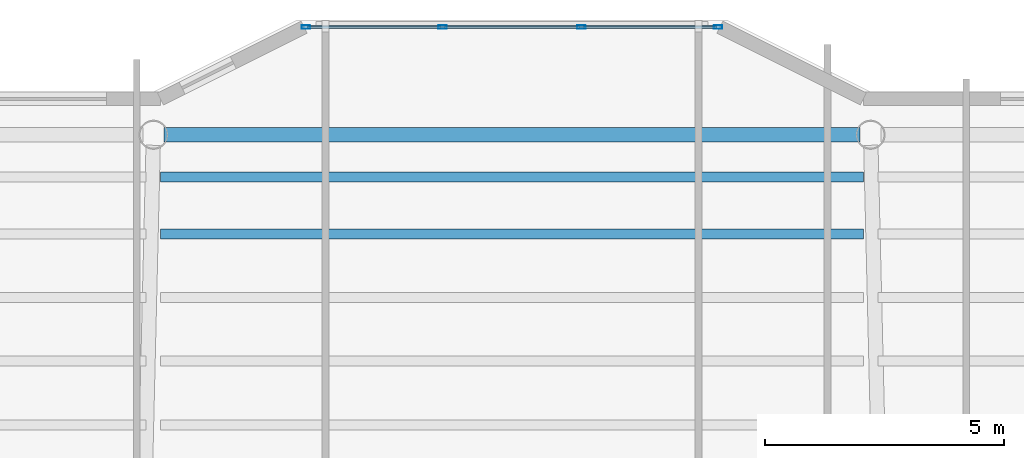
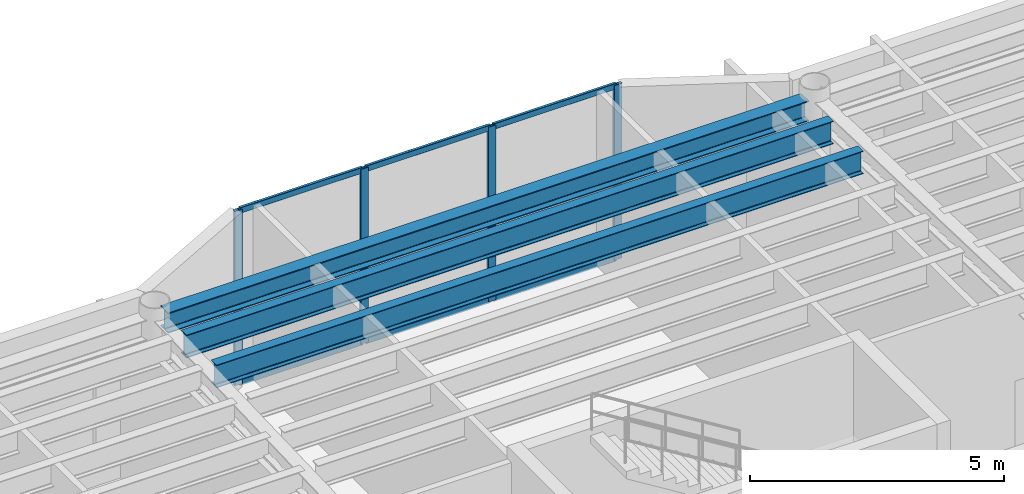
# One storey, part 19 of 33: 10 members, 3 beams, 1 element without a shape of its own.
"""IFC4 building model written with IfcOpenShell, lengths in metres."""

import ifcopenshell
import ifcopenshell.guid

model = None  # the IFC model being written
_history = None  # IfcOwnerHistory: only IFC2X3 demands one
_inside = {}  # id of a spatial element -> (the spatial element, [elements in it])
_under = {}  # id of a project, library or spatial element -> (it, [spatial elements below it])
_declared = {}  # id of a project -> (the project, [libraries it declares])
_typed = {}  # id of a type object -> (the type object, [elements of that type])
_made_of = {}  # id of a material, layer set ... -> (it, [elements and type objects made of it])


def new_model(schema):
    """Start an empty IFC model of exactly this schema.

    Asked for "IFC4X3", IfcOpenShell would pick the latest addendum, in which some entities
    have other attributes; the version numbers below select the first issue.
    IFC2X3 requires an IfcOwnerHistory on every rooted entity: one is made here for all.
    """
    global model, _history
    if schema == "IFC4X3":
        model = ifcopenshell.file(schema_version=(4, 3, 0, 0))
    else:
        model = ifcopenshell.file(schema=schema)
    _inside.clear()
    _under.clear()
    _declared.clear()
    _typed.clear()
    _made_of.clear()
    _history = None
    if model.schema == "IFC2X3":
        org = make("IfcOrganization", Name="unknown")
        user = make(
            "IfcPersonAndOrganization",
            ThePerson=make("IfcPerson", FamilyName="unknown"),
            TheOrganization=org,
        )
        app = make(
            "IfcApplication",
            ApplicationDeveloper=org,
            Version="unknown",
            ApplicationFullName="unknown",
            ApplicationIdentifier="unknown",
        )
        _history = make(
            "IfcOwnerHistory",
            OwningUser=user,
            OwningApplication=app,
            ChangeAction="ADDED",
            CreationDate=0,
        )
    return model


def make(cls, **values):
    """One entity of the class cls with the attributes given. An attribute that is None is left unset."""
    return model.create_entity(
        cls, **{name: value for name, value in values.items() if value is not None}
    )


def rooted(cls, **values):
    """An entity with a GlobalId (a new one), such as an element, a storey or a relation."""
    return make(cls, GlobalId=ifcopenshell.guid.new(), OwnerHistory=_history, **values)


def si_unit(unit_type, name, prefix=None):
    """IfcSIUnit, for example si_unit("LENGTHUNIT", "METRE", prefix="MILLI")."""
    return make("IfcSIUnit", UnitType=unit_type, Prefix=prefix, Name=name)


def assignment(units):
    """IfcUnitAssignment: the units of a project."""
    return None if units is None else make("IfcUnitAssignment", Units=units)


def point(xyz):
    """IfcCartesianPoint."""
    return None if xyz is None else make("IfcCartesianPoint", Coordinates=xyz)


def direction(xyz):
    """IfcDirection."""
    return None if xyz is None else make("IfcDirection", DirectionRatios=xyz)


def frame(location, z_axis=None, x_axis=None):
    """IfcAxis2Placement3D, a coordinate frame: its origin and axes. An axis left out is left unset."""
    return make(
        "IfcAxis2Placement3D",
        Location=point(location),
        Axis=direction(z_axis),
        RefDirection=direction(x_axis),
    )


def frame_2d(location, x_axis=None):
    """IfcAxis2Placement2D, a coordinate frame in the plane: its origin and x axis."""
    return make(
        "IfcAxis2Placement2D", Location=point(location), RefDirection=direction(x_axis)
    )


def origin():
    """The frame at (0, 0, 0) with its axes left unset."""
    return frame((0.0, 0.0, 0.0))


def origin_2d():
    """The frame at (0, 0) in the plane with its x axis left unset."""
    return frame_2d((0.0, 0.0))


def place(relative_to, where):
    """IfcLocalPlacement: puts the frame where relative to a parent placement (None: the world)."""
    return make(
        "IfcLocalPlacement", PlacementRelTo=relative_to, RelativePlacement=where
    )


def context(
    kind, dimensions, precision=None, world=None, true_north=None, identifier=None
):
    """IfcGeometricRepresentationContext, for example the 3D "Model" context."""
    return make(
        "IfcGeometricRepresentationContext",
        ContextIdentifier=identifier,
        ContextType=kind,
        CoordinateSpaceDimension=dimensions,
        Precision=precision,
        WorldCoordinateSystem=world,
        TrueNorth=true_north,
    )


def subcontext(parent, identifier, kind, view, scale=None):
    """IfcGeometricRepresentationSubContext, for example "Body" below "Model"."""
    return make(
        "IfcGeometricRepresentationSubContext",
        ContextIdentifier=identifier,
        ContextType=kind,
        ParentContext=parent,
        TargetScale=scale,
        TargetView=view,
    )


def project(units=None, contexts=None):
    """IfcProject with its units and contexts."""
    return rooted(
        "IfcProject",
        Name="project",
        RepresentationContexts=contexts,
        UnitsInContext=assignment(units),
    )


def spatial(cls, under=None, at=None, **own):
    """A site, building, storey or space (cls), placed at a placement, below another one or the project."""
    s = rooted(cls, ObjectPlacement=at, **own)
    if under is not None:
        _under.setdefault(under.id(), (under, []))[1].append(s)
    return s


def profile(cls, at=None, kind="AREA", **sizes):
    """A parametric profile (cls). Its sizes go by their IFC names, for example OverallWidth=200.0."""
    return make(cls, ProfileType=kind, Position=at, **sizes)


def hollow_rectangle(**sizes):
    """IfcRectangleHollowProfileDef."""
    return profile("IfcRectangleHollowProfileDef", **sizes)


def i_section(**sizes):
    """IfcIShapeProfileDef."""
    return profile("IfcIShapeProfileDef", **sizes)


def extrude(swept, where, along, depth):
    """IfcExtrudedAreaSolid: the profile swept, set in the frame where, extruded along a direction by depth."""
    return make(
        "IfcExtrudedAreaSolid",
        SweptArea=swept,
        Position=where,
        ExtrudedDirection=direction(along),
        Depth=depth,
    )


def shape(context_of_items, identifier, shape_type, items):
    """IfcShapeRepresentation: the items that make up one representation, for example the "Body"."""
    return make(
        "IfcShapeRepresentation",
        ContextOfItems=context_of_items,
        RepresentationIdentifier=identifier,
        RepresentationType=shape_type,
        Items=items,
    )


def material(Name=None, Category=None):
    """IfcMaterial."""
    return make("IfcMaterial", Name=Name, Category=Category)


def layer(
    of_material, thickness, ventilated=None, Name=None, Category=None, Priority=None
):
    """IfcMaterialLayer: one layer of a wall or slab, of a material (None: an air gap)."""
    return make(
        "IfcMaterialLayer",
        Material=of_material,
        LayerThickness=thickness,
        IsVentilated=ventilated,
        Name=Name,
        Category=Category,
        Priority=Priority,
    )


def layer_set(layers, Name=None):
    """IfcMaterialLayerSet."""
    return make("IfcMaterialLayerSet", MaterialLayers=layers, LayerSetName=Name)


def material_profile(
    of_material, cross_section, Name=None, Category=None, Priority=None
):
    """IfcMaterialProfile: a cross section and its material."""
    return make(
        "IfcMaterialProfile",
        Name=Name,
        Material=of_material,
        Profile=cross_section,
        Priority=Priority,
        Category=Category,
    )


def profile_set(profiles, Name=None, composite=None):
    """IfcMaterialProfileSet."""
    return make(
        "IfcMaterialProfileSet",
        Name=Name,
        MaterialProfiles=profiles,
        CompositeProfile=composite,
    )


def made_of(thing, what):
    """Note that an element or type object is made of a material, layer set ...; save() writes the relation."""
    if what is not None:
        _made_of.setdefault(what.id(), (what, []))[1].append(thing)
    return thing


def type_object(cls, material=None, **own):
    """A type object (cls), such as IfcWallType, which elements share."""
    return made_of(rooted(cls, **own), material)


def element(
    cls,
    number,
    at=None,
    inside=None,
    cuts=None,
    type_object=None,
    material=None,
    context=None,
    identifier="Body",
    shape_type=None,
    held_by="IfcProductDefinitionShape",
    body=None,
    shapes=None,
    **own,
):
    """One element of the class cls, such as IfcWall. Its Tag is "e" and its number.

    at: its placement. inside: the storey or other place that contains it. cuts: it is an
    opening in that element (IfcRelVoidsElement). A single representation is given by context,
    identifier, shape_type and body (its items); several are given by shapes. held_by: the class
    of the entity that holds the representations. save() writes the other relations.
    """
    e = rooted(cls, Tag="e%d" % number, ObjectPlacement=at, **own)
    if body is not None:
        shapes = [shape(context, identifier, shape_type, body)]
    if shapes is not None:
        e.Representation = make(held_by, Representations=shapes)
    if inside is not None:
        _inside.setdefault(inside.id(), (inside, []))[1].append(e)
    if cuts is not None:
        rooted(
            "IfcRelVoidsElement", RelatingBuildingElement=cuts, RelatedOpeningElement=e
        )
    if type_object is not None:
        _typed.setdefault(type_object.id(), (type_object, []))[1].append(e)
    return made_of(e, material)


def aggregate(whole, parts):
    """IfcRelAggregates: a whole, such as a stair, and the parts it consists of."""
    return rooted("IfcRelAggregates", RelatingObject=whole, RelatedObjects=parts)


def save(model, path):
    """Write the relations noted so far, then the file.

    IfcRelAggregates (storeys below a building ...), IfcRelContainedInSpatialStructure (elements
    in a storey), IfcRelDefinesByType, IfcRelAssociatesMaterial and IfcRelDeclares: one each for
    every whole, place, type object, material and project.
    """
    for whole, parts in _under.values():
        aggregate(whole, parts)
    for where, things in _inside.values():
        rooted(
            "IfcRelContainedInSpatialStructure",
            RelatedElements=things,
            RelatingStructure=where,
        )
    for kind, things in _typed.values():
        rooted("IfcRelDefinesByType", RelatedObjects=things, RelatingType=kind)
    for what, things in _made_of.values():
        rooted("IfcRelAssociatesMaterial", RelatedObjects=things, RelatingMaterial=what)
    for by, libraries in _declared.values():
        rooted("IfcRelDeclares", RelatingContext=by, RelatedDefinitions=libraries)
    model.write(path)


model = new_model("IFC4")

# Units and contexts
model_context = context("Model", 3, precision=1e-05, world=origin(), true_north=direction((0.0, 1.0)))
body_context = subcontext(model_context, "Body", "Model", "MODEL_VIEW")
ifc_project = project(units=[si_unit("LENGTHUNIT", "METRE"), si_unit("AREAUNIT", "SQUARE_METRE"), si_unit("VOLUMEUNIT", "CUBIC_METRE"), si_unit("PLANEANGLEUNIT", "RADIAN"), si_unit("MASSUNIT", "GRAM", prefix="KILO")], contexts=[model_context])

# Site, building, storey
site_placement = place(None, origin())
site = spatial("IfcSite", under=ifc_project, at=site_placement, CompositionType="ELEMENT")
building_placement = place(site_placement, origin())
building = spatial("IfcBuilding", under=site, at=building_placement, Name="Tarnavaz Court Tower", CompositionType="ELEMENT")
storey_placement = place(building_placement, frame((0.0, 0.0, 172.800048828125)))
storey = spatial("IfcBuildingStorey", under=building, at=storey_placement, Name="L47", CompositionType="ELEMENT", Elevation=172.800048828125)

# Beams
ifc_material_1 = material(Name="Steel S355", Category="steel")
ifc_material_profile_1 = material_profile(ifc_material_1, i_section(OverallWidth=0.2099609375, OverallDepth=0.550048828125, WebThickness=0.010986328125, FlangeThickness=0.01708984375, FilletRadius=0.02392578125, at=origin_2d()), Name="IPE 550")
ifc_profile_set_1 = profile_set([ifc_material_profile_1], Name="Steel S355")
beam_type_1 = type_object("IfcBeamType", Name="BM-J-IPE550", PredefinedType="JOIST", material=ifc_profile_set_1)
for number, where, z_axis, x_axis, name in (
    (1, (-7.35009765625, 18.327880859375, 3.925048828125), (1.0, 0.0, 0.0), (0.0, 1.0, 0.0), "L47 Beam JN4-2"),
    (2, (-7.35009765625, 19.511962890625, 3.925048828125), (1.0, 0.0, 0.0), (0.0, 1.0, 0.0), "L47 Beam JN5-2"),
):
    element("IfcBeam", number, at=place(storey_placement, frame(where, z_axis=z_axis, x_axis=x_axis)), inside=storey, type_object=beam_type_1, Name=name, PredefinedType="JOIST", context=body_context, shape_type="SweptSolid", body=[
        extrude(i_section(OverallWidth=0.2099609375, OverallDepth=0.550048828125, WebThickness=0.010986328125, FlangeThickness=0.01708984375, FilletRadius=0.02392578125, at=origin_2d()), origin(), (0.0, 0.0, 1.0), 14.7001953125),
    ])
ifc_material_profile_2 = material_profile(ifc_material_1, i_section(OverallWidth=0.300048828125, OverallDepth=0.489990234375, WebThickness=0.011962890625, FlangeThickness=0.02294921875, FilletRadius=0.027099609375, at=origin_2d()), Name="HEA 500")
ifc_profile_set_2 = profile_set([ifc_material_profile_2], Name="Steel S355")
beam_type_2 = type_object("IfcBeamType", Name="BM-SP-HEA500", PredefinedType="SPANDREL", material=ifc_profile_set_2)
beam_placement = place(storey_placement, frame((-7.280029296875, 20.39990234375, 3.954833984375), z_axis=(1.0, 0.0, 0.0), x_axis=(0.0, 1.0, 0.0)))
element("IfcBeam", 3, at=beam_placement, inside=storey, type_object=beam_type_2, Name="L47 Beam PR-PN-2-PN-3", PredefinedType="SPANDREL", context=body_context, shape_type="SweptSolid", body=[
    extrude(i_section(OverallWidth=0.300048828125, OverallDepth=0.489990234375, WebThickness=0.011962890625, FlangeThickness=0.02294921875, FilletRadius=0.027099609375, at=origin_2d()), origin(), (0.0, 0.0, 1.0), 14.56005859375),
])

# Curtain wall, members
ifc_material_2 = material(Name="Anodised Aluminium 6063-T6 and Solar Low-E Glazing", Category="aluminium")
ifc_layer = layer(ifc_material_2, 0.159912109375)
ifc_layer_set = layer_set([ifc_layer], Name="Anodised Aluminium 6063-T6 and Solar Low-E Glazing")
curtain_wall_type = type_object("IfcCurtainWallType", Name="CW-SYS-03", PredefinedType="NOTDEFINED", material=ifc_layer_set)
curtain_wall_placement = place(storey_placement, origin())
curtain_wall = element("IfcCurtainWall", 4, at=curtain_wall_placement, inside=storey, type_object=curtain_wall_type, Name="L47 Iwan Prow Curtain Wall 7", PredefinedType="NOTDEFINED")
ifc_material_3 = material(Name="Anodised Aluminium 6063-T6", Category="aluminium")
ifc_material_profile_3 = material_profile(ifc_material_3, hollow_rectangle(XDim=0.074951171875, YDim=0.179931640625, WallThickness=0.0048828125, InnerFilletRadius=0.0048828125, OuterFilletRadius=0.010009765625, at=origin_2d()), Name="ALU RHS 180X75X5")
ifc_profile_set_3 = profile_set([ifc_material_profile_3], Name="Anodised Aluminium 6063-T6")
member_type_1 = type_object("IfcMemberType", Name="CW-MUL-180", PredefinedType="MULLION", material=ifc_profile_set_3)
member_1_placement = place(storey_placement, frame((-4.3125, 22.64990234375, 0.0), z_axis=(0.0, 0.0, 1.0), x_axis=(0.0, 1.0, 0.0)))
member_1 = element("IfcMember", 5, at=member_1_placement, type_object=member_type_1, Name="CW mullion 1", PredefinedType="MULLION", context=body_context, shape_type="SweptSolid", body=[
    extrude(hollow_rectangle(XDim=0.074951171875, YDim=0.179931640625, WallThickness=0.0048828125, InnerFilletRadius=0.0048828125, OuterFilletRadius=0.010009765625, at=origin_2d()), origin(), (0.0, 0.0, 1.0), 4.199951171875),
])
member_2_placement = place(storey_placement, frame((-1.449951171875, 22.64990234375, 0.0), z_axis=(0.0, 0.0, 1.0), x_axis=(0.0, 1.0, 0.0)))
member_2 = element("IfcMember", 6, at=member_2_placement, type_object=member_type_1, Name="CW mullion 2", PredefinedType="MULLION", context=body_context, shape_type="SweptSolid", body=[
    extrude(hollow_rectangle(XDim=0.074951171875, YDim=0.179931640625, WallThickness=0.0048828125, InnerFilletRadius=0.0048828125, OuterFilletRadius=0.010009765625, at=origin_2d()), origin(), (0.0, 0.0, 1.0), 4.199951171875),
])
member_3_placement = place(storey_placement, frame((1.449951171875, 22.64990234375, 0.0), z_axis=(0.0, 0.0, 1.0), x_axis=(0.0, 1.0, 0.0)))
member_3 = element("IfcMember", 7, at=member_3_placement, type_object=member_type_1, Name="CW mullion 3", PredefinedType="MULLION", context=body_context, shape_type="SweptSolid", body=[
    extrude(hollow_rectangle(XDim=0.074951171875, YDim=0.179931640625, WallThickness=0.0048828125, InnerFilletRadius=0.0048828125, OuterFilletRadius=0.010009765625, at=origin_2d()), origin(), (0.0, 0.0, 1.0), 4.199951171875),
])
member_4_placement = place(storey_placement, frame((4.3125, 22.64990234375, 0.0), z_axis=(0.0, 0.0, 1.0), x_axis=(0.0, 1.0, 0.0)))
member_4 = element("IfcMember", 8, at=member_4_placement, type_object=member_type_1, Name="CW mullion 4", PredefinedType="MULLION", context=body_context, shape_type="SweptSolid", body=[
    extrude(hollow_rectangle(XDim=0.074951171875, YDim=0.179931640625, WallThickness=0.0048828125, InnerFilletRadius=0.0048828125, OuterFilletRadius=0.010009765625, at=origin_2d()), origin(), (0.0, 0.0, 1.0), 4.199951171875),
])
ifc_material_profile_4 = material_profile(ifc_material_3, hollow_rectangle(XDim=0.06494140625, YDim=0.139892578125, WallThickness=0.00390625, InnerFilletRadius=0.00390625, OuterFilletRadius=0.008056640625, at=origin_2d()), Name="ALU RHS 140X65X4")
ifc_profile_set_4 = profile_set([ifc_material_profile_4], Name="Anodised Aluminium 6063-T6")
member_type_2 = type_object("IfcMemberType", Name="CW-TRN-140", PredefinedType="USERDEFINED", material=ifc_profile_set_4)
member_5_placement = place(storey_placement, frame((-4.27490234375, 22.64990234375, 0.032470703125), z_axis=(1.0, 0.0, 0.0), x_axis=(0.0, 1.0, 0.0)))
member_5 = element("IfcMember", 9, at=member_5_placement, type_object=member_type_2, Name="CW transom 1.1", ObjectType="TRANSOM", PredefinedType="USERDEFINED", context=body_context, shape_type="SweptSolid", body=[
    extrude(hollow_rectangle(XDim=0.06494140625, YDim=0.139892578125, WallThickness=0.00390625, InnerFilletRadius=0.00390625, OuterFilletRadius=0.008056640625, at=origin_2d()), origin(), (0.0, 0.0, 1.0), 2.787353515625),
])
member_6_placement = place(storey_placement, frame((-4.27490234375, 22.64990234375, 4.16748046875), z_axis=(1.0, 0.0, 0.0), x_axis=(0.0, 1.0, 0.0)))
member_6 = element("IfcMember", 10, at=member_6_placement, type_object=member_type_2, Name="CW transom 1.2", ObjectType="TRANSOM", PredefinedType="USERDEFINED", context=body_context, shape_type="SweptSolid", body=[
    extrude(hollow_rectangle(XDim=0.06494140625, YDim=0.139892578125, WallThickness=0.00390625, InnerFilletRadius=0.00390625, OuterFilletRadius=0.008056640625, at=origin_2d()), origin(), (0.0, 0.0, 1.0), 2.787353515625),
])
member_7_placement = place(storey_placement, frame((-1.41259765625, 22.64990234375, 0.032470703125), z_axis=(1.0, 0.0, 0.0), x_axis=(0.0, 1.0, 0.0)))
member_7 = element("IfcMember", 11, at=member_7_placement, type_object=member_type_2, Name="CW transom 2.1", ObjectType="TRANSOM", PredefinedType="USERDEFINED", context=body_context, shape_type="SweptSolid", body=[
    extrude(hollow_rectangle(XDim=0.06494140625, YDim=0.139892578125, WallThickness=0.00390625, InnerFilletRadius=0.00390625, OuterFilletRadius=0.008056640625, at=origin_2d()), origin(), (0.0, 0.0, 1.0), 2.8251953125),
])
member_8_placement = place(storey_placement, frame((-1.41259765625, 22.64990234375, 4.16748046875), z_axis=(1.0, 0.0, 0.0), x_axis=(0.0, 1.0, 0.0)))
member_8 = element("IfcMember", 12, at=member_8_placement, type_object=member_type_2, Name="CW transom 2.2", ObjectType="TRANSOM", PredefinedType="USERDEFINED", context=body_context, shape_type="SweptSolid", body=[
    extrude(hollow_rectangle(XDim=0.06494140625, YDim=0.139892578125, WallThickness=0.00390625, InnerFilletRadius=0.00390625, OuterFilletRadius=0.008056640625, at=origin_2d()), origin(), (0.0, 0.0, 1.0), 2.8251953125),
])
member_9_placement = place(storey_placement, frame((1.487548828125, 22.64990234375, 0.032470703125), z_axis=(1.0, 0.0, 0.0), x_axis=(0.0, 1.0, 0.0)))
member_9 = element("IfcMember", 13, at=member_9_placement, type_object=member_type_2, Name="CW transom 3.1", ObjectType="TRANSOM", PredefinedType="USERDEFINED", context=body_context, shape_type="SweptSolid", body=[
    extrude(hollow_rectangle(XDim=0.06494140625, YDim=0.139892578125, WallThickness=0.00390625, InnerFilletRadius=0.00390625, OuterFilletRadius=0.008056640625, at=origin_2d()), origin(), (0.0, 0.0, 1.0), 2.787353515625),
])
member_10_placement = place(storey_placement, frame((1.487548828125, 22.64990234375, 4.16748046875), z_axis=(1.0, 0.0, 0.0), x_axis=(0.0, 1.0, 0.0)))
member_10 = element("IfcMember", 14, at=member_10_placement, type_object=member_type_2, Name="CW transom 3.2", ObjectType="TRANSOM", PredefinedType="USERDEFINED", context=body_context, shape_type="SweptSolid", body=[
    extrude(hollow_rectangle(XDim=0.06494140625, YDim=0.139892578125, WallThickness=0.00390625, InnerFilletRadius=0.00390625, OuterFilletRadius=0.008056640625, at=origin_2d()), origin(), (0.0, 0.0, 1.0), 2.787353515625),
])
aggregate(curtain_wall, [member_1, member_2, member_3, member_4, member_5, member_6, member_7, member_8, member_9, member_10])

save(model, "model.ifc")
